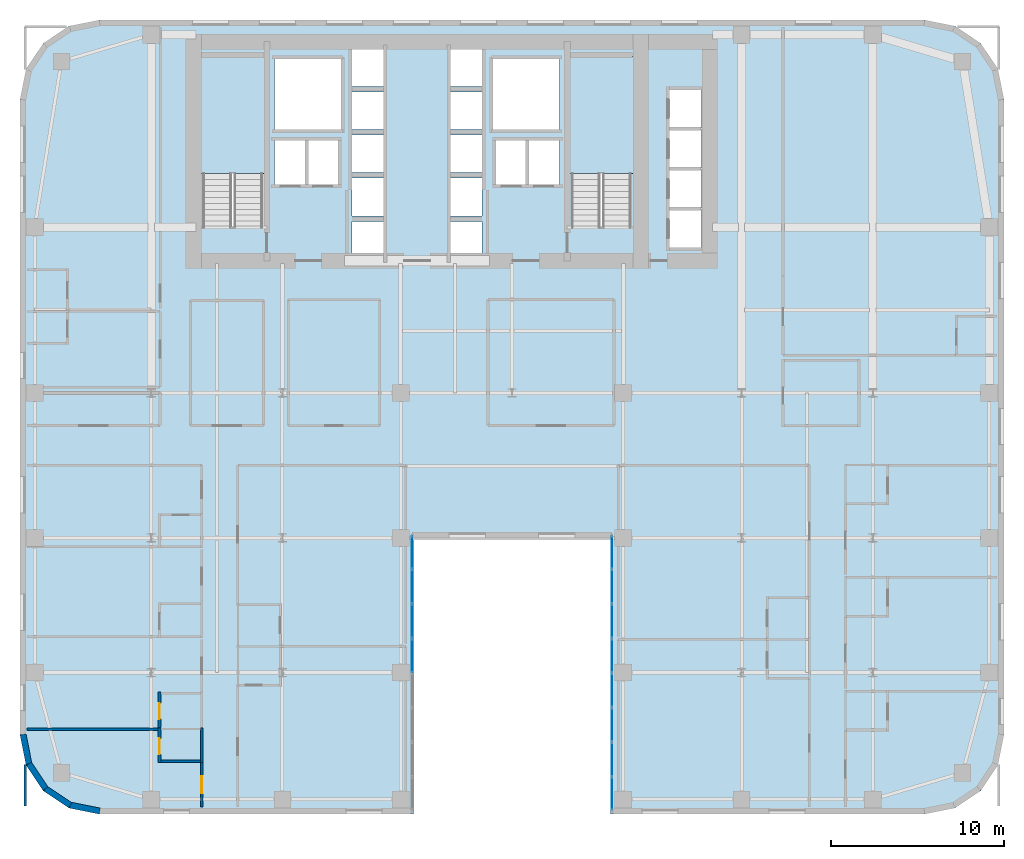
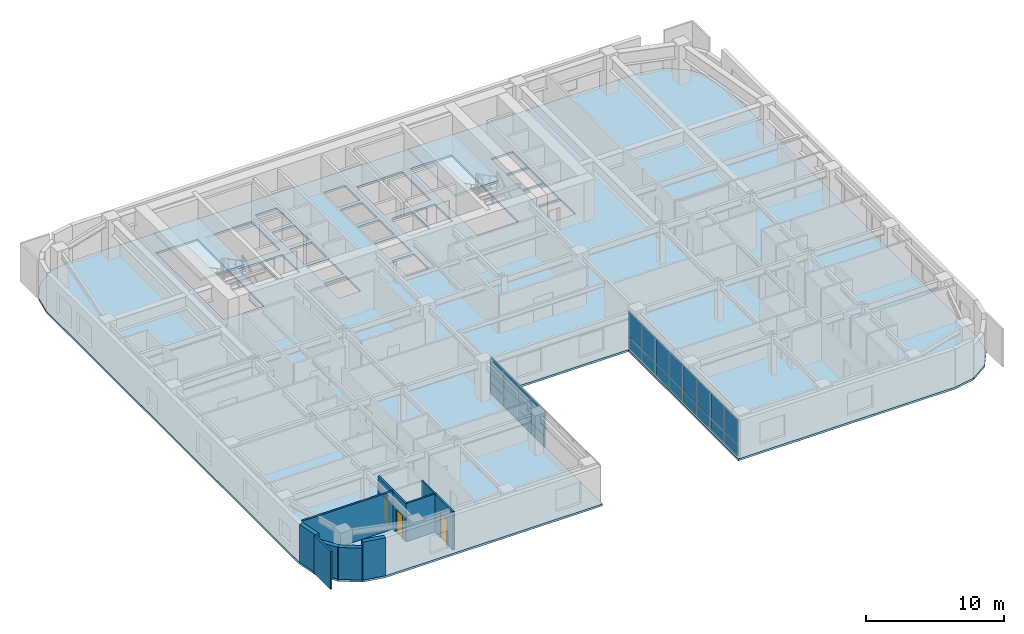
# One storey, part 9 of 16: 24 plates, 11 walls, 3 doors, 3 slabs, 3 openings, 4 elements without a shape of their own.
"""IFC4 building model written with IfcOpenShell, lengths in metres."""

from ifc_helpers import new_model, si_unit, direction, frame, frame_2d, origin, origin_2d, place, context, subcontext, project, spatial, polyline, rectangle, outline, extrude, source, transform, mapped, material, layer, layer_set, type_object, type_shapes, element, fill, aggregate, save


model = new_model("IFC4")

# Units and contexts
model_context = context("Model", 3, precision=1e-05, world=origin(), true_north=direction((0.0, 1.0)))
body_context = subcontext(model_context, "Body", "Model", "MODEL_VIEW")
ifc_project = project(units=[si_unit("LENGTHUNIT", "METRE"), si_unit("AREAUNIT", "SQUARE_METRE"), si_unit("VOLUMEUNIT", "CUBIC_METRE"), si_unit("PLANEANGLEUNIT", "RADIAN"), si_unit("MASSUNIT", "GRAM", prefix="KILO")], contexts=[model_context])

# Site, building, storey
site_placement = place(None, origin())
site = spatial("IfcSite", under=ifc_project, at=site_placement, CompositionType="ELEMENT")
building_placement = place(site_placement, origin())
building = spatial("IfcBuilding", under=site, at=building_placement, Name="Tolvann Quenvar Hotel", CompositionType="ELEMENT")
storey_placement = place(building_placement, frame((0.0, 0.0, 63.949951171875)))
storey = spatial("IfcBuildingStorey", under=building, at=storey_placement, Name="L15", CompositionType="ELEMENT", Elevation=63.949951171875)

# Stair, slab
ifc_material_1 = material(Name="Concrete N40 (40 MPa)", Category="concrete")
stair_type = type_object("IfcStairType", Name="STAIR", PredefinedType="HALF_TURN_STAIR", material=ifc_material_1)
stair_1_placement = place(storey_placement, origin())
stair_1 = element("IfcStair", 1, at=stair_1_placement, inside=storey, type_object=stair_type, Name="L15 ST-C1", PredefinedType="HALF_TURN_STAIR")
ifc_layer_1 = layer(ifc_material_1, 0.199951171875)
ifc_layer_set_1 = layer_set([ifc_layer_1], Name="Concrete N40 (40 MPa)")
slab_type_1 = type_object("IfcSlabType", Name="SLAB_LANDING", PredefinedType="LANDING", material=ifc_layer_set_1)
slab_1_placement = place(storey_placement, frame((0.0, 0.0, 1.574951171875)))
slab_1 = element("IfcSlab", 2, at=slab_1_placement, type_object=slab_type_1, Name="ST-C1 landing 1", PredefinedType="LANDING", context=body_context, shape_type="SweptSolid", body=[
    extrude(outline(polyline([(14.179931640625, 37.10498046875), (14.179931640625, 43.8798828125), (10.469970703125, 43.8798828125), (10.469970703125, 37.10498046875), (14.179931640625, 37.10498046875)])), origin(), (0.0, 0.0, 1.0), 0.2001953125),
])
aggregate(stair_1, [slab_1])

stair_2_placement = place(storey_placement, origin())
stair_2 = element("IfcStair", 3, at=stair_2_placement, inside=storey, type_object=stair_type, Name="L15 ST-C2", PredefinedType="HALF_TURN_STAIR")
slab_2_placement = place(storey_placement, frame((0.0, 0.0, 1.574951171875)))
slab_2 = element("IfcSlab", 4, at=slab_2_placement, type_object=slab_type_1, Name="ST-C2 landing 1", PredefinedType="LANDING", context=body_context, shape_type="SweptSolid", body=[
    extrude(outline(polyline([(35.530029296875, 37.10498046875), (35.530029296875, 43.8798828125), (31.820068359375, 43.8798828125), (31.820068359375, 37.10498046875), (35.530029296875, 37.10498046875)])), origin(), (0.0, 0.0, 1.0), 0.2001953125),
])
aggregate(stair_2, [slab_2])

# Slab
ifc_layer_2 = layer(ifc_material_1, 0.179931640625)
ifc_layer_set_2 = layer_set([ifc_layer_2], Name="Concrete N40 (40 MPa)")
slab_type_2 = type_object("IfcSlabType", Name="SLAB_TWR_180", PredefinedType="FLOOR", material=ifc_layer_set_2)
slab_3_placement = place(storey_placement, frame((0.0, 0.0, -0.179931640625)))
element("IfcSlab", 5, at=slab_3_placement, inside=storey, type_object=slab_type_2, Name="Level L15 Structural Floor Slab", PredefinedType="FLOOR", context=body_context, shape_type="SweptSolid", body=[
    extrude(outline(polyline([(0.0, 4.60009765625), (0.35009765625, 2.839599609375), (1.347412109375, 1.347412109375), (2.839599609375, 0.35009765625), (4.60009765625, 0.0), (22.800048828125, 0.0), (22.800048828125, 16.0), (34.199951171875, 16.0), (34.199951171875, 0.0), (52.39990234375, 0.0), (54.160400390625, 0.35009765625), (55.652587890625, 1.347412109375), (56.64990234375, 2.839599609375), (57.0, 4.60009765625), (57.0, 41.39990234375), (56.64990234375, 43.160400390625), (55.652587890625, 44.652587890625), (54.160400390625, 45.64990234375), (52.39990234375, 46.0), (4.60009765625, 46.0), (2.839599609375, 45.64990234375), (1.347412109375, 44.652587890625), (0.35009765625, 43.160400390625), (0.0, 41.39990234375), (0.0, 4.60009765625)]), holes=[polyline([(37.6298828125, 41.949951171875), (39.469970703125, 41.949951171875), (39.469970703125, 39.77001953125), (37.6298828125, 39.77001953125), (37.6298828125, 41.949951171875)]), polyline([(37.6298828125, 39.6298828125), (39.469970703125, 39.6298828125), (39.469970703125, 37.449951171875), (37.6298828125, 37.449951171875), (37.6298828125, 39.6298828125)]), polyline([(37.6298828125, 37.31005859375), (39.469970703125, 37.31005859375), (39.469970703125, 35.1298828125), (37.6298828125, 35.1298828125), (37.6298828125, 37.31005859375)]), polyline([(37.6298828125, 34.989990234375), (39.469970703125, 34.989990234375), (39.469970703125, 32.81005859375), (37.6298828125, 32.81005859375), (37.6298828125, 34.989990234375)]), polyline([(31.949951171875, 43.800048828125), (35.39990234375, 43.800048828125), (35.39990234375, 34.02490234375), (31.949951171875, 34.02490234375), (31.949951171875, 43.800048828125)]), polyline([(31.25, 39.02001953125), (31.25, 36.47998046875), (29.449951171875, 36.47998046875), (29.449951171875, 39.02001953125), (31.25, 39.02001953125)]), polyline([(31.25, 43.75), (31.25, 39.64990234375), (27.39990234375, 39.64990234375), (27.39990234375, 43.75), (31.25, 43.75)]), polyline([(27.574951171875, 39.02001953125), (29.324951171875, 39.02001953125), (29.324951171875, 36.47998046875), (27.574951171875, 36.47998046875), (27.574951171875, 39.02001953125)]), polyline([(26.77001953125, 36.840087890625), (26.77001953125, 34.659912109375), (24.929931640625, 34.659912109375), (24.929931640625, 36.840087890625), (26.77001953125, 36.840087890625)]), polyline([(26.77001953125, 44.340087890625), (26.77001953125, 42.159912109375), (24.929931640625, 42.159912109375), (24.929931640625, 44.340087890625), (26.77001953125, 44.340087890625)]), polyline([(26.77001953125, 41.840087890625), (26.77001953125, 39.659912109375), (24.929931640625, 39.659912109375), (24.929931640625, 41.840087890625), (26.77001953125, 41.840087890625)]), polyline([(26.77001953125, 39.340087890625), (26.77001953125, 37.159912109375), (24.929931640625, 37.159912109375), (24.929931640625, 39.340087890625), (26.77001953125, 39.340087890625)]), polyline([(24.929931640625, 34.340087890625), (26.77001953125, 34.340087890625), (26.77001953125, 32.159912109375), (24.929931640625, 32.159912109375), (24.929931640625, 34.340087890625)]), polyline([(21.070068359375, 44.340087890625), (21.070068359375, 42.159912109375), (19.22998046875, 42.159912109375), (19.22998046875, 44.340087890625), (21.070068359375, 44.340087890625)]), polyline([(19.22998046875, 41.840087890625), (21.070068359375, 41.840087890625), (21.070068359375, 39.659912109375), (19.22998046875, 39.659912109375), (19.22998046875, 41.840087890625)]), polyline([(21.070068359375, 39.340087890625), (21.070068359375, 37.159912109375), (19.22998046875, 37.159912109375), (19.22998046875, 39.340087890625), (21.070068359375, 39.340087890625)]), polyline([(19.22998046875, 36.840087890625), (21.070068359375, 36.840087890625), (21.070068359375, 34.659912109375), (19.22998046875, 34.659912109375), (19.22998046875, 36.840087890625)]), polyline([(19.22998046875, 34.340087890625), (21.070068359375, 34.340087890625), (21.070068359375, 32.159912109375), (19.22998046875, 32.159912109375), (19.22998046875, 34.340087890625)]), polyline([(18.60009765625, 43.75), (18.60009765625, 39.64990234375), (14.75, 39.64990234375), (14.75, 43.75), (18.60009765625, 43.75)]), polyline([(16.675048828125, 39.02001953125), (18.425048828125, 39.02001953125), (18.425048828125, 36.47998046875), (16.675048828125, 36.47998046875), (16.675048828125, 39.02001953125)]), polyline([(16.550048828125, 39.02001953125), (16.550048828125, 36.47998046875), (14.75, 36.47998046875), (14.75, 39.02001953125), (16.550048828125, 39.02001953125)]), polyline([(10.60009765625, 43.800048828125), (14.050048828125, 43.800048828125), (14.050048828125, 34.02490234375), (10.60009765625, 34.02490234375), (10.60009765625, 43.800048828125)])]), origin(), (0.0, 0.0, 1.0), 0.179931640625),
])

# Curtain wall, plate
ifc_material_2 = material(Name="Thermally broken anodised architectural aluminium 6063-T6 and laminated low-E glass", Category="aluminium")
ifc_layer_3 = layer(ifc_material_2, 0.179931640625)
ifc_layer_set_3 = layer_set([ifc_layer_3], Name="Thermally broken anodised architectural aluminium 6063-T6 and laminated low-E glass")
curtain_wall_type = type_object("IfcCurtainWallType", Name="CW_SYS_SLOT_03", PredefinedType="USERDEFINED", material=ifc_layer_set_3)
curtain_wall_1_placement = place(storey_placement, origin())
curtain_wall_1 = element("IfcCurtainWall", 6, at=curtain_wall_1_placement, inside=storey, type_object=curtain_wall_type, Name="Curtain Wall CW-SLOT-03 (CWR-L15-E05)", ObjectType="UNITISED CURTAIN WALL", PredefinedType="USERDEFINED")
ifc_material_3 = material(Name="Low-iron laminated double glazing with solar-control coating", Category="glass")
ifc_layer_4 = layer(ifc_material_3, 0.028076171875)
ifc_layer_set_4 = layer_set([ifc_layer_4], Name="Low-iron laminated double glazing with solar-control coating")
plate_type = type_object("IfcPlateType", Name="CW_PAN_VISION_28", PredefinedType="CURTAIN_PANEL", material=ifc_layer_set_4)
shared_shape_1 = source(origin(), body_context, "Body", "SweptSolid", [
    extrude(rectangle(XDim=1.89501953125, YDim=0.028076171875, at=origin_2d()), origin(), (0.0, 0.0, 1.0), 0.9599609375),
])
plate_1_placement = place(storey_placement, frame((22.7099609375, 15.157470703125, 0.06005859375), z_axis=(0.0, 0.0, 1.0), x_axis=(0.0, 1.0, 0.0)))
plate_1 = element("IfcPlate", 7, at=plate_1_placement, type_object=plate_type, Name="CW-SLOT-03 panel 8.1", PredefinedType="CURTAIN_PANEL", context=body_context, shape_type="MappedRepresentation", body=[
    mapped(shared_shape_1, transform((0.0, 0.0, 0.0), x_axis=(1.0, 0.0, 0.0), y_axis=(0.0, 1.0, 0.0), z_axis=(0.0, 0.0, 1.0), scale=1.0)),
])

# Curtain wall, plates
curtain_wall_2_placement = place(storey_placement, origin())
curtain_wall_2 = element("IfcCurtainWall", 8, at=curtain_wall_2_placement, inside=storey, type_object=curtain_wall_type, Name="Curtain Wall CW-SLOT-03 (CWR-L15-E07)", ObjectType="UNITISED CURTAIN WALL", PredefinedType="USERDEFINED")
plate_2_placement = place(storey_placement, frame((34.2900390625, 15.157470703125, 0.06005859375), z_axis=(0.0, 0.0, 1.0), x_axis=(0.0, -1.0, 0.0)))
plate_2 = element("IfcPlate", 9, at=plate_2_placement, type_object=plate_type, Name="CW-SLOT-03 panel 1.1", PredefinedType="CURTAIN_PANEL", context=body_context, shape_type="MappedRepresentation", body=[
    mapped(shared_shape_1, transform((0.0, 0.0, 0.0), x_axis=(1.0, 0.0, 0.0), y_axis=(0.0, 1.0, 0.0), z_axis=(0.0, 0.0, 1.0), scale=1.0)),
])
plate_3_placement = place(storey_placement, frame((34.2900390625, 1.1923828125, 0.06005859375), z_axis=(0.0, 0.0, 1.0), x_axis=(0.0, -1.0, 0.0)))
plate_3 = element("IfcPlate", 10, at=plate_3_placement, type_object=plate_type, Name="CW-SLOT-03 panel 8.1", PredefinedType="CURTAIN_PANEL", context=body_context, shape_type="MappedRepresentation", body=[
    mapped(shared_shape_1, transform((0.0, 0.0, 0.0), x_axis=(1.0, 0.0, 0.0), y_axis=(0.0, 1.0, 0.0), z_axis=(0.0, 0.0, 1.0), scale=1.0)),
])

# Plate
shared_shape_2 = source(origin(), body_context, "Body", "SweptSolid", [
    extrude(rectangle(XDim=1.89501953125, YDim=0.028076171875, at=origin_2d()), origin(), (0.0, 0.0, 1.0), 2.22998046875),
])
plate_4_placement = place(storey_placement, frame((22.7099609375, 15.157470703125, 1.080078125), z_axis=(0.0, 0.0, 1.0), x_axis=(0.0, 1.0, 0.0)))
plate_4 = element("IfcPlate", 11, at=plate_4_placement, type_object=plate_type, Name="CW-SLOT-03 panel 8.2", PredefinedType="CURTAIN_PANEL", context=body_context, shape_type="MappedRepresentation", body=[
    mapped(shared_shape_2, transform((0.0, 0.0, 0.0), x_axis=(1.0, 0.0, 0.0), y_axis=(0.0, 1.0, 0.0), z_axis=(0.0, 0.0, 1.0), scale=1.0)),
])

plate_5_placement = place(storey_placement, frame((34.2900390625, 15.157470703125, 1.080078125), z_axis=(0.0, 0.0, 1.0), x_axis=(0.0, -1.0, 0.0)))
plate_5 = element("IfcPlate", 12, at=plate_5_placement, type_object=plate_type, Name="CW-SLOT-03 panel 1.2", PredefinedType="CURTAIN_PANEL", context=body_context, shape_type="MappedRepresentation", body=[
    mapped(shared_shape_2, transform((0.0, 0.0, 0.0), x_axis=(1.0, 0.0, 0.0), y_axis=(0.0, 1.0, 0.0), z_axis=(0.0, 0.0, 1.0), scale=1.0)),
])

plate_6_placement = place(storey_placement, frame((34.2900390625, 1.1923828125, 1.080078125), z_axis=(0.0, 0.0, 1.0), x_axis=(0.0, -1.0, 0.0)))
plate_6 = element("IfcPlate", 13, at=plate_6_placement, type_object=plate_type, Name="CW-SLOT-03 panel 8.2", PredefinedType="CURTAIN_PANEL", context=body_context, shape_type="MappedRepresentation", body=[
    mapped(shared_shape_2, transform((0.0, 0.0, 0.0), x_axis=(1.0, 0.0, 0.0), y_axis=(0.0, 1.0, 0.0), z_axis=(0.0, 0.0, 1.0), scale=1.0)),
])

shared_shape_3 = source(origin(), body_context, "Body", "SweptSolid", [
    extrude(rectangle(XDim=1.929931640625, YDim=0.028076171875, at=origin_2d()), origin(), (0.0, 0.0, 1.0), 0.9599609375),
])
plate_7_placement = place(storey_placement, frame((22.7099609375, 9.175048828125, 0.06005859375), z_axis=(0.0, 0.0, 1.0), x_axis=(0.0, 1.0, 0.0)))
plate_7 = element("IfcPlate", 14, at=plate_7_placement, type_object=plate_type, Name="CW-SLOT-03 panel 5.1", PredefinedType="CURTAIN_PANEL", context=body_context, shape_type="MappedRepresentation", body=[
    mapped(shared_shape_3, transform((0.0, 0.0, 0.0), x_axis=(1.0, 0.0, 0.0), y_axis=(0.0, 1.0, 0.0), z_axis=(0.0, 0.0, 1.0), scale=1.0)),
])

plate_8_placement = place(storey_placement, frame((22.7099609375, 11.175048828125, 0.06005859375), z_axis=(0.0, 0.0, 1.0), x_axis=(0.0, 1.0, 0.0)))
plate_8 = element("IfcPlate", 15, at=plate_8_placement, type_object=plate_type, Name="CW-SLOT-03 panel 6.1", PredefinedType="CURTAIN_PANEL", context=body_context, shape_type="MappedRepresentation", body=[
    mapped(shared_shape_3, transform((0.0, 0.0, 0.0), x_axis=(1.0, 0.0, 0.0), y_axis=(0.0, 1.0, 0.0), z_axis=(0.0, 0.0, 1.0), scale=1.0)),
])

plate_9_placement = place(storey_placement, frame((22.7099609375, 13.175048828125, 0.06005859375), z_axis=(0.0, 0.0, 1.0), x_axis=(0.0, 1.0, 0.0)))
plate_9 = element("IfcPlate", 16, at=plate_9_placement, type_object=plate_type, Name="CW-SLOT-03 panel 7.1", PredefinedType="CURTAIN_PANEL", context=body_context, shape_type="MappedRepresentation", body=[
    mapped(shared_shape_3, transform((0.0, 0.0, 0.0), x_axis=(1.0, 0.0, 0.0), y_axis=(0.0, 1.0, 0.0), z_axis=(0.0, 0.0, 1.0), scale=1.0)),
])

plate_10_placement = place(storey_placement, frame((34.2900390625, 13.175048828125, 0.06005859375), z_axis=(0.0, 0.0, 1.0), x_axis=(0.0, -1.0, 0.0)))
plate_10 = element("IfcPlate", 17, at=plate_10_placement, type_object=plate_type, Name="CW-SLOT-03 panel 2.1", PredefinedType="CURTAIN_PANEL", context=body_context, shape_type="MappedRepresentation", body=[
    mapped(shared_shape_3, transform((0.0, 0.0, 0.0), x_axis=(1.0, 0.0, 0.0), y_axis=(0.0, 1.0, 0.0), z_axis=(0.0, 0.0, 1.0), scale=1.0)),
])

plate_11_placement = place(storey_placement, frame((34.2900390625, 11.175048828125, 0.06005859375), z_axis=(0.0, 0.0, 1.0), x_axis=(0.0, -1.0, 0.0)))
plate_11 = element("IfcPlate", 18, at=plate_11_placement, type_object=plate_type, Name="CW-SLOT-03 panel 3.1", PredefinedType="CURTAIN_PANEL", context=body_context, shape_type="MappedRepresentation", body=[
    mapped(shared_shape_3, transform((0.0, 0.0, 0.0), x_axis=(1.0, 0.0, 0.0), y_axis=(0.0, 1.0, 0.0), z_axis=(0.0, 0.0, 1.0), scale=1.0)),
])

plate_12_placement = place(storey_placement, frame((34.2900390625, 9.175048828125, 0.06005859375), z_axis=(0.0, 0.0, 1.0), x_axis=(0.0, -1.0, 0.0)))
plate_12 = element("IfcPlate", 19, at=plate_12_placement, type_object=plate_type, Name="CW-SLOT-03 panel 4.1", PredefinedType="CURTAIN_PANEL", context=body_context, shape_type="MappedRepresentation", body=[
    mapped(shared_shape_3, transform((0.0, 0.0, 0.0), x_axis=(1.0, 0.0, 0.0), y_axis=(0.0, 1.0, 0.0), z_axis=(0.0, 0.0, 1.0), scale=1.0)),
])

plate_13_placement = place(storey_placement, frame((34.2900390625, 7.175048828125, 0.06005859375), z_axis=(0.0, 0.0, 1.0), x_axis=(0.0, -1.0, 0.0)))
plate_13 = element("IfcPlate", 20, at=plate_13_placement, type_object=plate_type, Name="CW-SLOT-03 panel 5.1", PredefinedType="CURTAIN_PANEL", context=body_context, shape_type="MappedRepresentation", body=[
    mapped(shared_shape_3, transform((0.0, 0.0, 0.0), x_axis=(1.0, 0.0, 0.0), y_axis=(0.0, 1.0, 0.0), z_axis=(0.0, 0.0, 1.0), scale=1.0)),
])

plate_14_placement = place(storey_placement, frame((34.2900390625, 5.175048828125, 0.06005859375), z_axis=(0.0, 0.0, 1.0), x_axis=(0.0, -1.0, 0.0)))
plate_14 = element("IfcPlate", 21, at=plate_14_placement, type_object=plate_type, Name="CW-SLOT-03 panel 6.1", PredefinedType="CURTAIN_PANEL", context=body_context, shape_type="MappedRepresentation", body=[
    mapped(shared_shape_3, transform((0.0, 0.0, 0.0), x_axis=(1.0, 0.0, 0.0), y_axis=(0.0, 1.0, 0.0), z_axis=(0.0, 0.0, 1.0), scale=1.0)),
])

plate_15_placement = place(storey_placement, frame((34.2900390625, 3.175048828125, 0.06005859375), z_axis=(0.0, 0.0, 1.0), x_axis=(0.0, -1.0, 0.0)))
plate_15 = element("IfcPlate", 22, at=plate_15_placement, type_object=plate_type, Name="CW-SLOT-03 panel 7.1", PredefinedType="CURTAIN_PANEL", context=body_context, shape_type="MappedRepresentation", body=[
    mapped(shared_shape_3, transform((0.0, 0.0, 0.0), x_axis=(1.0, 0.0, 0.0), y_axis=(0.0, 1.0, 0.0), z_axis=(0.0, 0.0, 1.0), scale=1.0)),
])

shared_shape_4 = source(origin(), body_context, "Body", "SweptSolid", [
    extrude(rectangle(XDim=1.929931640625, YDim=0.028076171875, at=origin_2d()), origin(), (0.0, 0.0, 1.0), 2.22998046875),
])
type_shapes(plate_type, [shared_shape_1, shared_shape_2, shared_shape_3, shared_shape_4])
plate_16_placement = place(storey_placement, frame((22.7099609375, 9.175048828125, 1.080078125), z_axis=(0.0, 0.0, 1.0), x_axis=(0.0, 1.0, 0.0)))
plate_16 = element("IfcPlate", 23, at=plate_16_placement, type_object=plate_type, Name="CW-SLOT-03 panel 5.2", PredefinedType="CURTAIN_PANEL", context=body_context, shape_type="MappedRepresentation", body=[
    mapped(shared_shape_4, transform((0.0, 0.0, 0.0), x_axis=(1.0, 0.0, 0.0), y_axis=(0.0, 1.0, 0.0), z_axis=(0.0, 0.0, 1.0), scale=1.0)),
])

plate_17_placement = place(storey_placement, frame((22.7099609375, 11.175048828125, 1.080078125), z_axis=(0.0, 0.0, 1.0), x_axis=(0.0, 1.0, 0.0)))
plate_17 = element("IfcPlate", 24, at=plate_17_placement, type_object=plate_type, Name="CW-SLOT-03 panel 6.2", PredefinedType="CURTAIN_PANEL", context=body_context, shape_type="MappedRepresentation", body=[
    mapped(shared_shape_4, transform((0.0, 0.0, 0.0), x_axis=(1.0, 0.0, 0.0), y_axis=(0.0, 1.0, 0.0), z_axis=(0.0, 0.0, 1.0), scale=1.0)),
])

plate_18_placement = place(storey_placement, frame((22.7099609375, 13.175048828125, 1.080078125), z_axis=(0.0, 0.0, 1.0), x_axis=(0.0, 1.0, 0.0)))
plate_18 = element("IfcPlate", 25, at=plate_18_placement, type_object=plate_type, Name="CW-SLOT-03 panel 7.2", PredefinedType="CURTAIN_PANEL", context=body_context, shape_type="MappedRepresentation", body=[
    mapped(shared_shape_4, transform((0.0, 0.0, 0.0), x_axis=(1.0, 0.0, 0.0), y_axis=(0.0, 1.0, 0.0), z_axis=(0.0, 0.0, 1.0), scale=1.0)),
])

aggregate(curtain_wall_1, [plate_7, plate_16, plate_8, plate_17, plate_9, plate_18, plate_1, plate_4])

plate_19_placement = place(storey_placement, frame((34.2900390625, 13.175048828125, 1.080078125), z_axis=(0.0, 0.0, 1.0), x_axis=(0.0, -1.0, 0.0)))
plate_19 = element("IfcPlate", 26, at=plate_19_placement, type_object=plate_type, Name="CW-SLOT-03 panel 2.2", PredefinedType="CURTAIN_PANEL", context=body_context, shape_type="MappedRepresentation", body=[
    mapped(shared_shape_4, transform((0.0, 0.0, 0.0), x_axis=(1.0, 0.0, 0.0), y_axis=(0.0, 1.0, 0.0), z_axis=(0.0, 0.0, 1.0), scale=1.0)),
])

plate_20_placement = place(storey_placement, frame((34.2900390625, 11.175048828125, 1.080078125), z_axis=(0.0, 0.0, 1.0), x_axis=(0.0, -1.0, 0.0)))
plate_20 = element("IfcPlate", 27, at=plate_20_placement, type_object=plate_type, Name="CW-SLOT-03 panel 3.2", PredefinedType="CURTAIN_PANEL", context=body_context, shape_type="MappedRepresentation", body=[
    mapped(shared_shape_4, transform((0.0, 0.0, 0.0), x_axis=(1.0, 0.0, 0.0), y_axis=(0.0, 1.0, 0.0), z_axis=(0.0, 0.0, 1.0), scale=1.0)),
])

plate_21_placement = place(storey_placement, frame((34.2900390625, 9.175048828125, 1.080078125), z_axis=(0.0, 0.0, 1.0), x_axis=(0.0, -1.0, 0.0)))
plate_21 = element("IfcPlate", 28, at=plate_21_placement, type_object=plate_type, Name="CW-SLOT-03 panel 4.2", PredefinedType="CURTAIN_PANEL", context=body_context, shape_type="MappedRepresentation", body=[
    mapped(shared_shape_4, transform((0.0, 0.0, 0.0), x_axis=(1.0, 0.0, 0.0), y_axis=(0.0, 1.0, 0.0), z_axis=(0.0, 0.0, 1.0), scale=1.0)),
])

plate_22_placement = place(storey_placement, frame((34.2900390625, 7.175048828125, 1.080078125), z_axis=(0.0, 0.0, 1.0), x_axis=(0.0, -1.0, 0.0)))
plate_22 = element("IfcPlate", 29, at=plate_22_placement, type_object=plate_type, Name="CW-SLOT-03 panel 5.2", PredefinedType="CURTAIN_PANEL", context=body_context, shape_type="MappedRepresentation", body=[
    mapped(shared_shape_4, transform((0.0, 0.0, 0.0), x_axis=(1.0, 0.0, 0.0), y_axis=(0.0, 1.0, 0.0), z_axis=(0.0, 0.0, 1.0), scale=1.0)),
])

plate_23_placement = place(storey_placement, frame((34.2900390625, 5.175048828125, 1.080078125), z_axis=(0.0, 0.0, 1.0), x_axis=(0.0, -1.0, 0.0)))
plate_23 = element("IfcPlate", 30, at=plate_23_placement, type_object=plate_type, Name="CW-SLOT-03 panel 6.2", PredefinedType="CURTAIN_PANEL", context=body_context, shape_type="MappedRepresentation", body=[
    mapped(shared_shape_4, transform((0.0, 0.0, 0.0), x_axis=(1.0, 0.0, 0.0), y_axis=(0.0, 1.0, 0.0), z_axis=(0.0, 0.0, 1.0), scale=1.0)),
])

plate_24_placement = place(storey_placement, frame((34.2900390625, 3.175048828125, 1.080078125), z_axis=(0.0, 0.0, 1.0), x_axis=(0.0, -1.0, 0.0)))
plate_24 = element("IfcPlate", 31, at=plate_24_placement, type_object=plate_type, Name="CW-SLOT-03 panel 7.2", PredefinedType="CURTAIN_PANEL", context=body_context, shape_type="MappedRepresentation", body=[
    mapped(shared_shape_4, transform((0.0, 0.0, 0.0), x_axis=(1.0, 0.0, 0.0), y_axis=(0.0, 1.0, 0.0), z_axis=(0.0, 0.0, 1.0), scale=1.0)),
])

aggregate(curtain_wall_2, [plate_2, plate_5, plate_10, plate_19, plate_11, plate_20, plate_12, plate_21, plate_13, plate_22, plate_14, plate_23, plate_15, plate_24, plate_3, plate_6])

# Walls
ifc_material_4 = material(Name="Kiln-fired red and buff architectural clay brickwork and terracotta masonry", Category="masonry")
ifc_layer_5 = layer(ifc_material_4, 0.35009765625)
ifc_layer_set_5 = layer_set([ifc_layer_5], Name="Kiln-fired red and buff architectural clay brickwork and terracotta masonry")
wall_type_1 = type_object("IfcWallType", Name="WALL_EXT_BRICK_350", PredefinedType="SOLIDWALL", material=ifc_layer_set_5)
for number, where, z_axis, x_axis, name in (
    (32, (0.514892578125, 2.907958984375, 0.0), (0.0, 0.0, 1.0), (0.55554893791, -0.831483840845, 0.0), "Exterior Chicago Brick Wall L15-E01"),
    (33, (1.473388671875, 1.473388671875, 0.0), (0.0, 0.0, 1.0), (0.831483840845, -0.55554893791, 0.0), "Exterior Chicago Brick Wall L15-E02"),
):
    element("IfcWall", number, at=place(storey_placement, frame(where, z_axis=z_axis, x_axis=x_axis)), inside=storey, type_object=wall_type_1, Name=name, PredefinedType="SOLIDWALL", context=body_context, shape_type="SweptSolid", body=[
        extrude(rectangle(XDim=1.725341796875, YDim=0.35009765625, at=frame_2d((0.86279296875, 0.0))), origin(), (0.0, 0.0, 1.0), 2.83203125),
    ])
for number, where, z_axis, x_axis, name in (
    (34, (2.907958984375, 0.514892578125, 0.0), (0.0, 0.0, 1.0), (0.980800971659, -0.195011420161, 0.0), "Exterior Chicago Brick Wall L15-E03"),
    (35, (0.175048828125, 4.6171875, 0.0), (0.0, 0.0, 1.0), (0.195011420161, -0.980800971659, 0.0), "Exterior Chicago Brick Wall L15-E24"),
):
    element("IfcWall", number, at=place(storey_placement, frame(where, z_axis=z_axis, x_axis=x_axis)), inside=storey, type_object=wall_type_1, Name=name, PredefinedType="SOLIDWALL", context=body_context, shape_type="SweptSolid", body=[
        extrude(rectangle(XDim=1.74267578125, YDim=0.35009765625, at=frame_2d((0.871337890625, 0.0))), origin(), (0.0, 0.0, 1.0), 3.3701171875),
    ])
ifc_material_5 = material(Name="Moisture-resistant acoustic plumbing wall assembly")
ifc_layer_6 = layer(ifc_material_5, 0.1201171875)
ifc_layer_set_6 = layer_set([ifc_layer_6], Name="Moisture-resistant acoustic plumbing wall assembly")
wall_type_2 = type_object("IfcWallType", Name="WALL_PART_BATH_120", PredefinedType="PLUMBINGWALL", material=ifc_layer_set_6)
wall_1_placement = place(storey_placement, frame((10.530029296875, 3.0, 0.0), z_axis=(0.0, 0.0, 1.0), x_axis=(0.0, 1.0, 0.0)))
element("IfcWall", 36, at=wall_1_placement, inside=storey, type_object=wall_type_2, Name="Non-Rated Plumbing Partition PT-SPC-L15-ENS-WO01-E", PredefinedType="PLUMBINGWALL", context=body_context, shape_type="SweptSolid", body=[
    extrude(rectangle(XDim=1.989990234375, YDim=0.1201171875, at=frame_2d((0.9951171875, 0.0))), origin(), (0.0, 0.0, 1.0), 3.3701171875),
])

# Wall, opening, door
ifc_material_6 = material(Name="Acoustic twin-stud fire-rated gypsum plasterboard partition")
ifc_layer_7 = layer(ifc_material_6, 0.14990234375)
ifc_layer_set_7 = layer_set([ifc_layer_7], Name="Acoustic twin-stud fire-rated gypsum plasterboard partition")
wall_type_3 = type_object("IfcWallType", Name="WALL_PART_SUITE_150", PredefinedType="PARTITIONING", material=ifc_layer_set_7)
wall_2_placement = place(storey_placement, frame((8.080078125, 3.0, 0.0), z_axis=(0.0, 0.0, 1.0), x_axis=(0.0, 1.0, 0.0)))
wall_2 = element("IfcWall", 37, at=wall_2_placement, inside=storey, type_object=wall_type_3, Name="Interior Partition PT-SPC-L15-ENS-WO01-ENT", PredefinedType="PARTITIONING", context=body_context, shape_type="SweptSolid", body=[
    extrude(rectangle(XDim=1.989990234375, YDim=0.14990234375, at=frame_2d((0.9951171875, 0.0))), origin(), (0.0, 0.0, 1.0), 3.3701171875),
])
opening_1_placement = place(wall_2_placement, frame((0.465087890625, 0.0, 0.0)))
opening_1 = element("IfcOpeningElement", 38, at=opening_1_placement, cuts=wall_2, Name="Opening WD-01", PredefinedType="OPENING", context=body_context, shape_type="SweptSolid", body=[
    extrude(rectangle(XDim=0.919921875, YDim=2.010009765625, at=frame_2d((0.4599609375, 1.0048828125))), frame((0.0, 0.0849609375, 0.0), z_axis=(0.0, -1.0, 0.0), x_axis=(1.0, 0.0, 0.0)), (0.0, 0.0, 1.0), 0.169921875),
])
ifc_material_7 = material(Name="Solid-core American oak acoustic fire door leaf in steel frame", Category="steel")
door_type_1 = type_object("IfcDoorType", Name="DOOR_WC_920", OperationType="NOTDEFINED", PredefinedType="DOOR", material=ifc_material_7)
shared_shape_5 = source(origin(), body_context, "Body", "SweptSolid", [
    extrude(rectangle(XDim=0.919921875, YDim=2.010009765625, at=frame_2d((0.4599609375, 1.0048828125))), frame((0.0, 0.02490234375, 0.0), z_axis=(0.0, -1.0, 0.0), x_axis=(1.0, 0.0, 0.0)), (0.0, 0.0, 1.0), 0.050048828125),
])
type_shapes(door_type_1, [shared_shape_5])
door_1_placement = place(opening_1_placement, origin())
door_1 = element("IfcDoor", 39, at=door_1_placement, inside=storey, type_object=door_type_1, Name="Interior Door DOOR-SPC-L15-ENS-WO01", OperationType="SINGLE_SWING_RIGHT", OverallHeight=2.010009765625, OverallWidth=0.919921875, PredefinedType="DOOR", context=body_context, shape_type="MappedRepresentation", body=[
    mapped(shared_shape_5, transform((0.0, 0.0, 0.0), x_axis=(1.0, 0.0, 0.0), y_axis=(0.0, 1.0, 0.0), z_axis=(0.0, 0.0, 1.0), scale=1.0)),
])
fill(opening_1, door_1)

# Wall
wall_3_placement = place(storey_placement, frame((8.010009765625, 3.070068359375, 0.0), z_axis=(0.0, 0.0, 1.0), x_axis=(1.0, 0.0, 0.0)))
element("IfcWall", 40, at=wall_3_placement, inside=storey, type_object=wall_type_3, Name="Interior Partition PT-SPC-L15-ENS-WO01-S", PredefinedType="PARTITIONING", context=body_context, shape_type="SweptSolid", body=[
    extrude(rectangle(XDim=2.590087890625, YDim=0.14990234375, at=frame_2d((1.294921875, 0.0))), origin(), (0.0, 0.0, 1.0), 3.3701171875),
])

# Wall, opening, door
wall_4_placement = place(storey_placement, frame((8.080078125, 5.010009765625, 0.0), z_axis=(0.0, 0.0, 1.0), x_axis=(0.0, 1.0, 0.0)))
wall_4 = element("IfcWall", 41, at=wall_4_placement, inside=storey, type_object=wall_type_3, Name="Interior Partition PT-SPC-L15-ENS-WO02-ENT", PredefinedType="PARTITIONING", context=body_context, shape_type="SweptSolid", body=[
    extrude(rectangle(XDim=2.054931640625, YDim=0.14990234375, at=frame_2d((1.02734375, 0.0))), origin(), (0.0, 0.0, 1.0), 3.3701171875),
])
opening_2_placement = place(wall_4_placement, frame((0.49755859375, 0.0, 0.0)))
opening_2 = element("IfcOpeningElement", 42, at=opening_2_placement, cuts=wall_4, Name="Opening WD-01", PredefinedType="OPENING", context=body_context, shape_type="SweptSolid", body=[
    extrude(rectangle(XDim=0.919921875, YDim=2.010009765625, at=frame_2d((0.4599609375, 1.0048828125))), frame((0.0, 0.0849609375, 0.0), z_axis=(0.0, -1.0, 0.0), x_axis=(1.0, 0.0, 0.0)), (0.0, 0.0, 1.0), 0.169921875),
])
door_2_placement = place(opening_2_placement, origin())
door_2 = element("IfcDoor", 43, at=door_2_placement, inside=storey, type_object=door_type_1, Name="Interior Door DOOR-SPC-L15-ENS-WO02", OperationType="SINGLE_SWING_LEFT", OverallHeight=2.010009765625, OverallWidth=0.919921875, PredefinedType="DOOR", context=body_context, shape_type="MappedRepresentation", body=[
    mapped(shared_shape_5, transform((0.0, 0.0, 0.0), x_axis=(1.0, 0.0, 0.0), y_axis=(0.0, 1.0, 0.0), z_axis=(0.0, 0.0, 1.0), scale=1.0)),
])
fill(opening_2, door_2)

wall_5_placement = place(storey_placement, frame((10.530029296875, 0.405029296875, 0.0), z_axis=(0.0, 0.0, 1.0), x_axis=(0.0, 1.0, 0.0)))
wall_5 = element("IfcWall", 44, at=wall_5_placement, inside=storey, type_object=wall_type_3, Name="Interior Partition PT-SPC-L15-RM-WO01-ENT", PredefinedType="PARTITIONING", context=body_context, shape_type="SweptSolid", body=[
    extrude(rectangle(XDim=2.5849609375, YDim=0.14990234375, at=frame_2d((1.29248046875, 0.0))), origin(), (0.0, 0.0, 1.0), 3.3701171875),
])
opening_3_placement = place(wall_5_placement, frame((0.81005859375, 0.0, 0.0)))
opening_3 = element("IfcOpeningElement", 45, at=opening_3_placement, cuts=wall_5, Name="Opening SD-01", PredefinedType="OPENING", context=body_context, shape_type="SweptSolid", body=[
    extrude(rectangle(XDim=0.97998046875, YDim=2.1201171875, at=frame_2d((0.489990234375, 1.06005859375))), frame((0.0, 0.0849609375, 0.0), z_axis=(0.0, -1.0, 0.0), x_axis=(1.0, 0.0, 0.0)), (0.0, 0.0, 1.0), 0.169921875),
])
door_type_2 = type_object("IfcDoorType", Name="DOOR_SUITE_980", OperationType="NOTDEFINED", PredefinedType="DOOR", material=ifc_material_7)
shared_shape_6 = source(origin(), body_context, "Body", "SweptSolid", [
    extrude(rectangle(XDim=0.97998046875, YDim=2.1201171875, at=frame_2d((0.489990234375, 1.06005859375))), frame((0.0, 0.02490234375, 0.0), z_axis=(0.0, -1.0, 0.0), x_axis=(1.0, 0.0, 0.0)), (0.0, 0.0, 1.0), 0.050048828125),
])
type_shapes(door_type_2, [shared_shape_6])
door_3_placement = place(opening_3_placement, origin())
door_3 = element("IfcDoor", 46, at=door_3_placement, inside=storey, type_object=door_type_2, Name="Interior Door DOOR-SPC-L15-RM-WO01", OperationType="SINGLE_SWING_RIGHT", OverallHeight=2.1201171875, OverallWidth=0.97998046875, PredefinedType="DOOR", context=body_context, shape_type="MappedRepresentation", body=[
    mapped(shared_shape_6, transform((0.0, 0.0, 0.0), x_axis=(1.0, 0.0, 0.0), y_axis=(0.0, 1.0, 0.0), z_axis=(0.0, 0.0, 1.0), scale=1.0)),
])
fill(opening_3, door_3)

# Walls
wall_6_placement = place(storey_placement, frame((0.405029296875, 4.919921875, 0.0), z_axis=(0.0, 0.0, 1.0), x_axis=(1.0, 0.0, 0.0)))
element("IfcWall", 47, at=wall_6_placement, inside=storey, type_object=wall_type_3, Name="Interior Partition PT-SPC-L15-RM-WO01-E5", PredefinedType="PARTITIONING", context=body_context, shape_type="SweptSolid", body=[
    extrude(rectangle(XDim=7.655029296875, YDim=0.14990234375, at=frame_2d((3.82763671875, 0.0))), origin(), (0.0, 0.0, 1.0), 3.3701171875),
])
wall_7_placement = place(storey_placement, frame((0.300048828125, 0.47998046875, 0.0), z_axis=(0.0, 0.0, 1.0), x_axis=(0.0, 1.0, 0.0)))
element("IfcWall", 48, at=wall_7_placement, inside=storey, type_object=wall_type_3, Name="Interior Partition PT-SPC-L15-RM-WO01-E6", PredefinedType="PARTITIONING", context=body_context, shape_type="SweptSolid", body=[
    extrude(rectangle(XDim=2.385009765625, YDim=0.14990234375, at=frame_2d((1.1923828125, 0.0))), origin(), (0.0, 0.0, 1.0), 3.3701171875),
])

save(model, "model.ifc")
